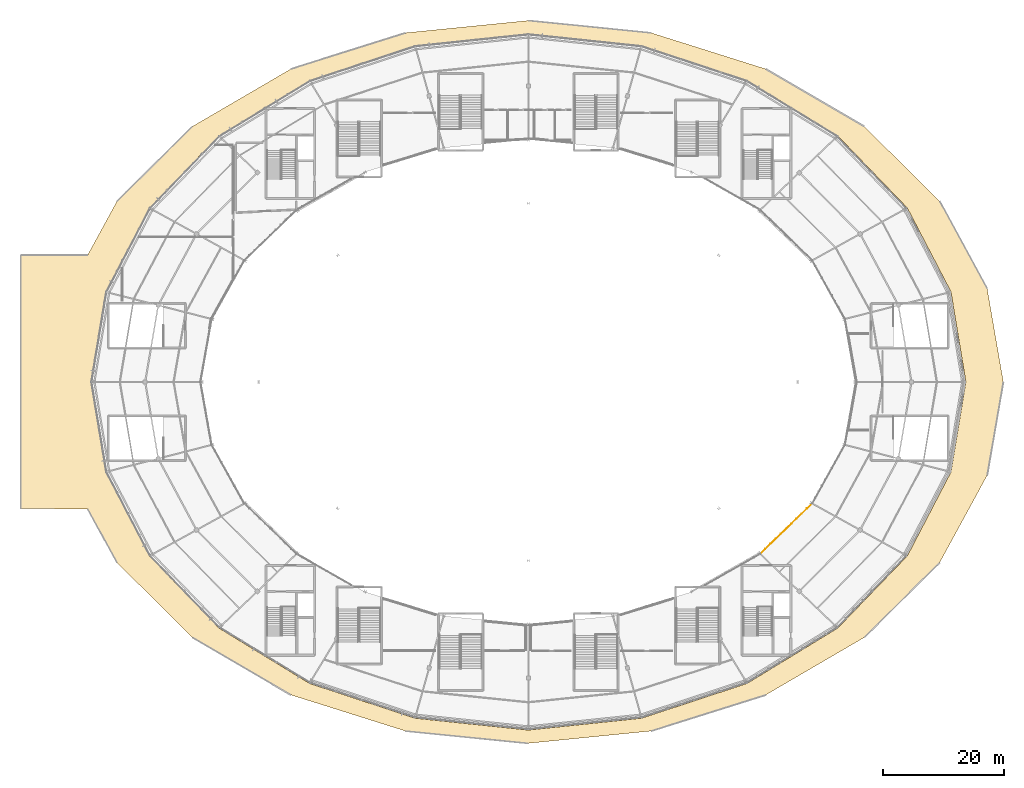
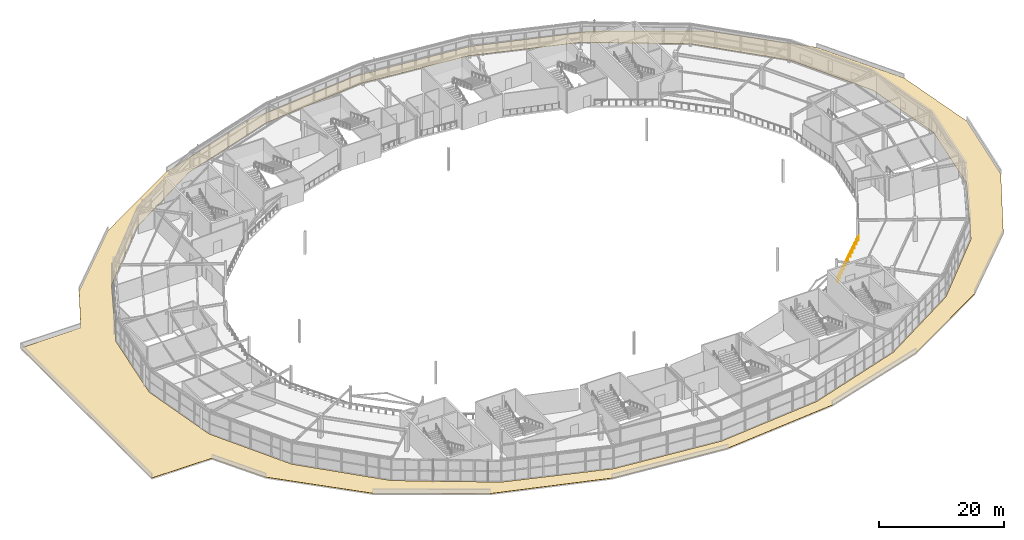
# One storey, part 120 of 126: 1 covering, 1 railing.
"""IFC4 building model written with IfcOpenShell, lengths in metres."""

from ifc_helpers import new_model, si_unit, direction, frame, origin, origin_2d, place, context, subcontext, project, spatial, polyline, circle, outline, extrude, material, layer, layer_set, type_object, element, save


model = new_model("IFC4")

# Units and contexts
model_context = context("Model", 3, precision=1e-05, world=origin(), true_north=direction((0.0, 1.0)))
body_context = subcontext(model_context, "Body", "Model", "MODEL_VIEW")
ifc_project = project(units=[si_unit("LENGTHUNIT", "METRE"), si_unit("AREAUNIT", "SQUARE_METRE"), si_unit("VOLUMEUNIT", "CUBIC_METRE"), si_unit("PLANEANGLEUNIT", "RADIAN"), si_unit("MASSUNIT", "GRAM", prefix="KILO")], contexts=[model_context])

# Site, building, storey
site_placement = place(None, origin())
site = spatial("IfcSite", under=ifc_project, at=site_placement, CompositionType="ELEMENT")
building_placement = place(site_placement, origin())
building = spatial("IfcBuilding", under=site, at=building_placement, Name="Kalgoora Escarpment Arena", CompositionType="ELEMENT")
storey_placement = place(building_placement, frame((0.0, 0.0, 18.89990234375)))
storey = spatial("IfcBuildingStorey", under=building, at=storey_placement, Name="L04", CompositionType="ELEMENT", Elevation=18.89990234375)

# Covering
ifc_material_1 = material(Name="Waterproof ballast roofing membrane")
ifc_layer = layer(ifc_material_1, 0.06005859375)
ifc_layer_set = layer_set([ifc_layer], Name="COV-ROOF-POD")
covering_type = type_object("IfcCoveringType", Name="COV-ROOF-POD", PredefinedType="ROOFING", material=ifc_layer_set)
covering_placement = place(storey_placement, origin())
element("IfcCovering", 1, at=covering_placement, inside=storey, type_object=covering_type, Name="L04 stepped podium roof membrane 1", PredefinedType="ROOFING", context=body_context, shape_type="SweptSolid", body=[
    extrude(outline(polyline([(8.39990234375, 84.89990234375), (19.48486328125, 85.0), (24.334228515625, 93.9033203125), (36.8125, 106.276123046875), (53.110595703125, 115.791748046875), (72.056884765625, 121.761962890625), (92.389892578125, 123.799072265625), (112.7431640625, 121.761962890625), (131.709716796875, 115.78271484375), (147.974609375, 106.286865234375), (160.4658203125, 93.9033203125), (168.32470703125, 79.461181640625), (170.998291015625, 64.005615234375), (168.32470703125, 48.538818359375), (160.459228515625, 34.089599609375), (147.974609375, 21.713134765625), (131.69970703125, 12.21240234375), (112.73291015625, 6.236572265625), (92.39990234375, 4.200439453125), (72.056884765625, 6.238037109375), (53.100341796875, 12.21240234375), (36.8251953125, 21.713134765625), (24.334228515625, 34.0966796875), (19.48486328125, 43.0), (8.422607421875, 43.03662109375), (8.39990234375, 84.89990234375)]), holes=[polyline([(20.000244140625, 64.0), (22.46826171875, 49.089599609375), (29.699951171875, 35.2001953125), (41.20556640625, 23.270751953125), (56.20263671875, 14.115966796875), (73.66162109375, 8.36279296875), (92.39990234375, 6.400146484375), (111.138427734375, 8.36279296875), (128.597412109375, 14.115966796875), (143.594482421875, 23.270751953125), (155.10009765625, 35.2001953125), (162.331787109375, 49.089599609375), (164.7998046875, 64.0), (162.331787109375, 78.910400390625), (155.10009765625, 92.7998046875), (143.594482421875, 104.729248046875), (128.597412109375, 113.884033203125), (111.138427734375, 119.63720703125), (92.39990234375, 121.599853515625), (73.66162109375, 119.63720703125), (56.20263671875, 113.884033203125), (41.20556640625, 104.729248046875), (29.699951171875, 92.7998046875), (22.46826171875, 78.910400390625), (20.000244140625, 64.0)])]), origin(), (0.0, 0.0, 1.0), 0.06005859375),
])

# Railing
ifc_material_2 = material(Name="Galvanised & powdercoated tubular steel", Category="steel")
railing_type = type_object("IfcRailingType", Name="RAL-GUARD-1120", PredefinedType="GUARDRAIL", material=ifc_material_2)
railing_placement = place(storey_placement, frame((130.760498046875, 35.5390625, 0.0)))
element("IfcRailing", 2, at=railing_placement, inside=storey, type_object=railing_type, Name="L04 concourse bowl balustrade 22", PredefinedType="GUARDRAIL", context=body_context, shape_type="SweptSolid", body=[
    extrude(circle(Radius=0.02392578125, at=origin_2d()), frame((0.0, 0.0, 1.09619140625), z_axis=(0.718905968005, 0.695107336436, 0.0), x_axis=(-0.695107336436, 0.718905968005, 0.0)), (0.0, 0.0, 1.0), 11.9921875),
    extrude(circle(Radius=0.02099609375, at=origin_2d()), origin(), (0.0, 0.0, 1.0), 1.072021484375),
    extrude(circle(Radius=0.02099609375, at=origin_2d()), frame((0.862060546875, 0.83349609375, 0.0)), (0.0, 0.0, 1.0), 1.072021484375),
    extrude(circle(Radius=0.02099609375, at=origin_2d()), frame((1.724365234375, 1.667236328125, 0.0)), (0.0, 0.0, 1.0), 1.072021484375),
    extrude(circle(Radius=0.02099609375, at=origin_2d()), frame((2.58642578125, 2.500732421875, 0.0)), (0.0, 0.0, 1.0), 1.072021484375),
    extrude(circle(Radius=0.02099609375, at=origin_2d()), frame((3.448486328125, 3.33447265625, 0.0)), (0.0, 0.0, 1.0), 1.072021484375),
    extrude(circle(Radius=0.02099609375, at=origin_2d()), frame((4.310546875, 4.16796875, 0.0)), (0.0, 0.0, 1.0), 1.072021484375),
    extrude(circle(Radius=0.02099609375, at=origin_2d()), frame((5.1728515625, 5.00146484375, 0.0)), (0.0, 0.0, 1.0), 1.072021484375),
    extrude(circle(Radius=0.02099609375, at=origin_2d()), frame((6.034912109375, 5.835205078125, 0.0)), (0.0, 0.0, 1.0), 1.072021484375),
    extrude(circle(Radius=0.02099609375, at=origin_2d()), frame((6.89697265625, 6.668701171875, 0.0)), (0.0, 0.0, 1.0), 1.072021484375),
    extrude(circle(Radius=0.02099609375, at=origin_2d()), frame((7.75927734375, 7.50244140625, 0.0)), (0.0, 0.0, 1.0), 1.072021484375),
    extrude(circle(Radius=0.02099609375, at=origin_2d()), frame((8.621337890625, 8.3359375, 0.0)), (0.0, 0.0, 1.0), 1.072021484375),
])

save(model, "model.ifc")
